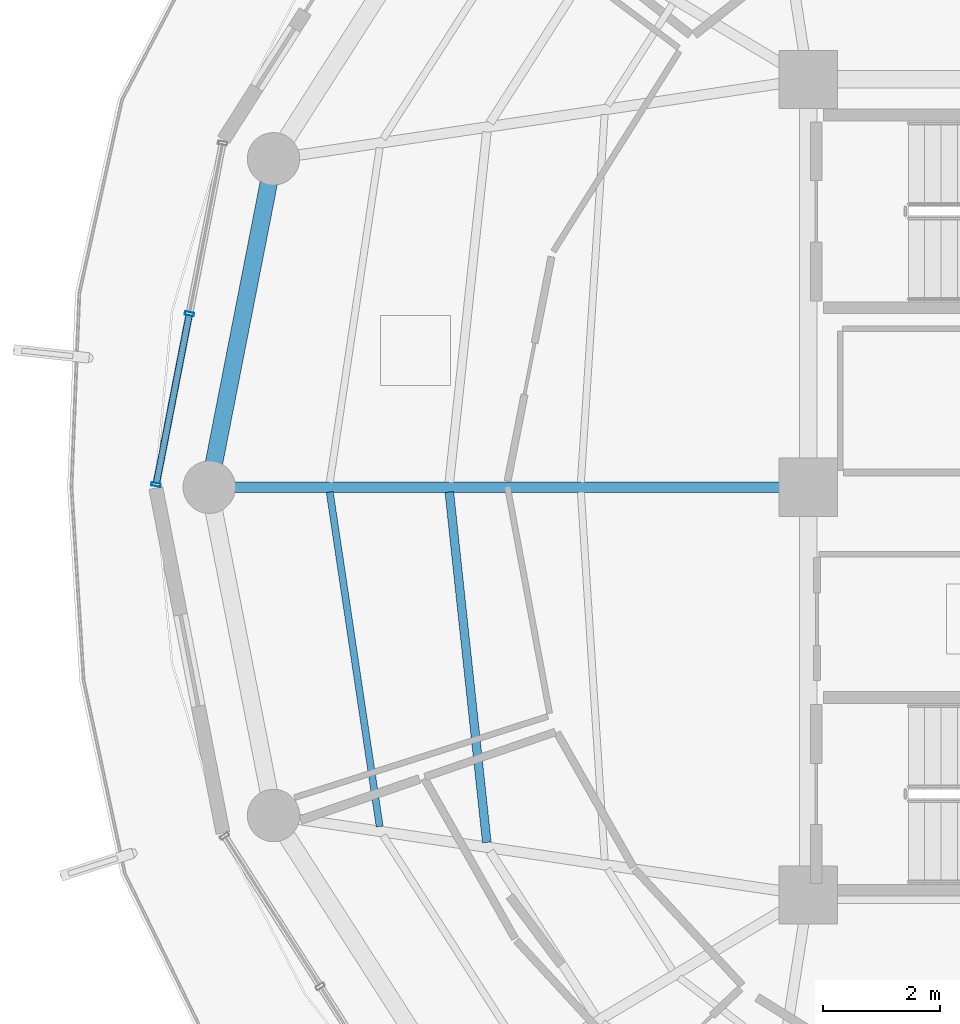
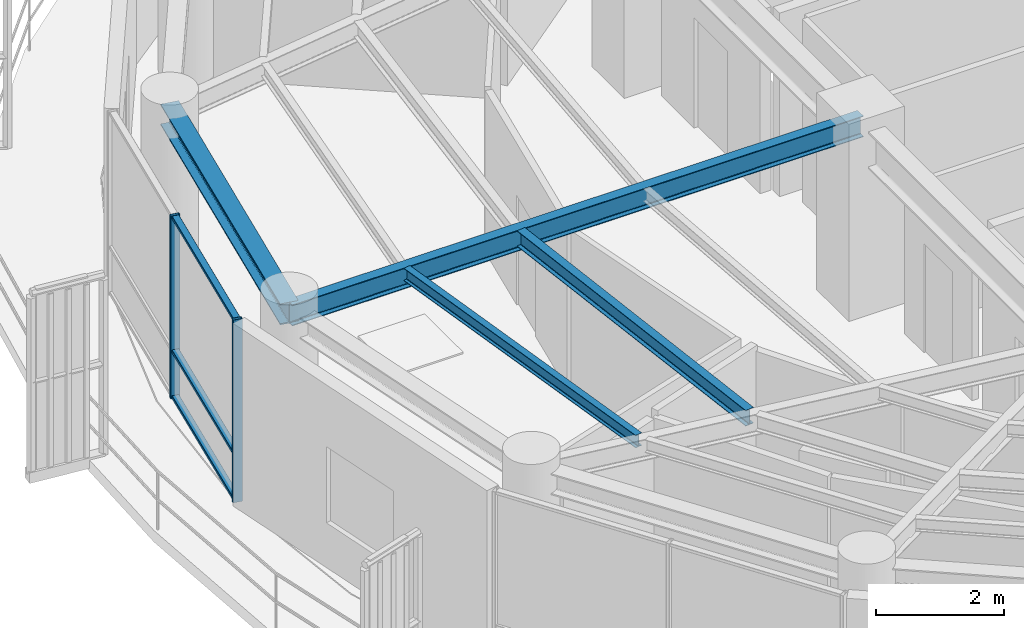
# One storey, part 5 of 22: 5 members, 4 beams, 1 element without a shape of its own.
"""IFC4 building model written with IfcOpenShell, lengths in metres."""

from ifc_helpers import new_model, si_unit, direction, frame, origin, origin_2d, place, context, subcontext, project, spatial, hollow_rectangle, i_section, extrude, material, layer, layer_set, material_profile, profile_set, type_object, element, aggregate, save


model = new_model("IFC4")

# Units and contexts
model_context = context("Model", 3, precision=1e-05, world=origin(), true_north=direction((0.0, 1.0)))
body_context = subcontext(model_context, "Body", "Model", "MODEL_VIEW")
ifc_project = project(units=[si_unit("LENGTHUNIT", "METRE"), si_unit("AREAUNIT", "SQUARE_METRE"), si_unit("VOLUMEUNIT", "CUBIC_METRE"), si_unit("PLANEANGLEUNIT", "RADIAN"), si_unit("MASSUNIT", "GRAM", prefix="KILO")], contexts=[model_context])

# Site, building, storey
site_placement = place(None, origin())
site = spatial("IfcSite", under=ifc_project, at=site_placement, CompositionType="ELEMENT")
building_placement = place(site_placement, origin())
building = spatial("IfcBuilding", under=site, at=building_placement, Name="Kelanora Arch Commons", CompositionType="ELEMENT")
storey_placement = place(building_placement, frame((0.0, 0.0, 274.949951171875)))
storey = spatial("IfcBuildingStorey", under=building, at=storey_placement, Name="L70", CompositionType="ELEMENT", Elevation=274.949951171875)

# Beams
ifc_material_1 = material(Name="Steel S355", Category="steel")
ifc_material_profile_1 = material_profile(ifc_material_1, i_section(OverallWidth=0.14990234375, OverallDepth=0.300048828125, WebThickness=0.007080078125, FlangeThickness=0.0107421875, FilletRadius=0.014892578125, at=origin_2d()), Name="IPE300")
ifc_profile_set_1 = profile_set([ifc_material_profile_1], Name="Steel S355")
beam_type_1 = type_object("IfcBeamType", Name="BM-JST-01", PredefinedType="JOIST", material=ifc_profile_set_1)
beam_1_placement = place(storey_placement, frame((59.841064453125, 57.91552734375, 3.340087890625), z_axis=(0.106380594087, -0.994325484538, 0.0), x_axis=(0.994325484538, 0.106380594087, 0.0)))
element("IfcBeam", 1, at=beam_1_placement, inside=storey, type_object=beam_type_1, Name="Secondary Chord Joist BJB-18 L70", PredefinedType="JOIST", context=body_context, shape_type="SweptSolid", body=[
    extrude(i_section(OverallWidth=0.14990234375, OverallDepth=0.300048828125, WebThickness=0.007080078125, FlangeThickness=0.0107421875, FilletRadius=0.014892578125, at=origin_2d()), origin(), (0.0, 0.0, 1.0), 6.04736328125),
])
ifc_material_profile_2 = material_profile(ifc_material_1, i_section(OverallWidth=0.1201171875, OverallDepth=0.239990234375, WebThickness=0.006103515625, FlangeThickness=0.009765625, FilletRadius=0.014892578125, at=origin_2d()), Name="IPE240")
ifc_profile_set_2 = profile_set([ifc_material_profile_2], Name="Steel S355")
beam_type_2 = type_object("IfcBeamType", Name="BM-JST-02", PredefinedType="JOIST", material=ifc_profile_set_2)
beam_2_placement = place(storey_placement, frame((57.78857421875, 57.916015625, 3.3701171875), z_axis=(0.14762470282, -0.989043450571, 0.0), x_axis=(0.989043450571, 0.14762470282, 0.0)))
element("IfcBeam", 2, at=beam_2_placement, inside=storey, type_object=beam_type_2, Name="Secondary Chord Joist BJC-18 L70", PredefinedType="JOIST", context=body_context, shape_type="SweptSolid", body=[
    extrude(i_section(OverallWidth=0.1201171875, OverallDepth=0.239990234375, WebThickness=0.006103515625, FlangeThickness=0.009765625, FilletRadius=0.014892578125, at=origin_2d()), origin(), (0.0, 0.0, 1.0), 5.804931640625),
])
ifc_material_profile_3 = material_profile(ifc_material_1, i_section(OverallWidth=0.179931640625, OverallDepth=0.39990234375, WebThickness=0.008544921875, FlangeThickness=0.013427734375, FilletRadius=0.02099609375, at=origin_2d()), Name="IPE400")
ifc_profile_set_3 = profile_set([ifc_material_profile_3], Name="Steel S355")
beam_type_3 = type_object("IfcBeamType", Name="BM-RAD-Z5", PredefinedType="BEAM", material=ifc_profile_set_3)
beam_3_placement = place(storey_placement, frame((66.0, 58.0, 3.2900390625), z_axis=(-1.0, 0.0, 0.0), x_axis=(0.0, -1.0, 0.0)))
element("IfcBeam", 3, at=beam_3_placement, inside=storey, type_object=beam_type_3, Name="Radial Floor Girder BR-18 L70", PredefinedType="BEAM", context=body_context, shape_type="SweptSolid", body=[
    extrude(i_section(OverallWidth=0.179931640625, OverallDepth=0.39990234375, WebThickness=0.008544921875, FlangeThickness=0.013427734375, FilletRadius=0.02099609375, at=origin_2d()), origin(), (0.0, 0.0, 1.0), 10.280029296875),
])
ifc_material_profile_4 = material_profile(ifc_material_1, i_section(OverallWidth=0.300048828125, OverallDepth=0.39990234375, WebThickness=0.013427734375, FlangeThickness=0.02392578125, FilletRadius=0.027099609375, at=origin_2d()), Name="HEB400")
ifc_profile_set_4 = profile_set([ifc_material_profile_4], Name="Steel S355")
beam_type_4 = type_object("IfcBeamType", Name="BM-SPN-Z4", PredefinedType="SPANDREL", material=ifc_profile_set_4)
beam_4_placement = place(storey_placement, frame((56.822509765625, 63.636474609375, 3.2900390625), z_axis=(-0.191969774604, -0.981400838413, 0.0), x_axis=(0.981400838413, -0.191969774604, 0.0)))
element("IfcBeam", 4, at=beam_4_placement, inside=storey, type_object=beam_type_4, Name="Perimeter Spandrel Beam BS-16 L70", PredefinedType="SPANDREL", context=body_context, shape_type="SweptSolid", body=[
    extrude(i_section(OverallWidth=0.300048828125, OverallDepth=0.39990234375, WebThickness=0.013427734375, FlangeThickness=0.02392578125, FilletRadius=0.027099609375, at=origin_2d()), origin(), (0.0, 0.0, 1.0), 5.743408203125),
])

# Curtain wall, members
ifc_material_2 = material(Name="Terracotta ceramic-fritted low-E glass and aluminium", Category="masonry")
ifc_layer = layer(ifc_material_2, 0.18994140625)
ifc_layer_set = layer_set([ifc_layer], Name="Terracotta ceramic-fritted low-E glass and aluminium")
curtain_wall_type = type_object("IfcCurtainWallType", Name="CW-SYS-03", PredefinedType="NOTDEFINED", material=ifc_layer_set)
curtain_wall_placement = place(storey_placement, origin())
curtain_wall = element("IfcCurtainWall", 5, at=curtain_wall_placement, inside=storey, type_object=curtain_wall_type, Name="Unitised Curtain Wall L70-B08", PredefinedType="NOTDEFINED")
ifc_material_3 = material(Name="Powder-coated aluminium terracotta", Category="masonry")
ifc_material_profile_5 = material_profile(ifc_material_3, hollow_rectangle(XDim=0.159912109375, YDim=0.06005859375, WallThickness=0.0048828125, InnerFilletRadius=0.0048828125, OuterFilletRadius=0.010009765625, at=origin_2d()), Name="CWM160x60")
ifc_profile_set_5 = profile_set([ifc_material_profile_5], Name="Powder-coated aluminium terracotta")
member_type_1 = type_object("IfcMemberType", Name="CWM-STD", PredefinedType="MULLION", material=ifc_profile_set_5)
member_1_placement = place(storey_placement, frame((55.37890625, 60.9755859375, 0.0), z_axis=(0.0, 0.0, 1.0), x_axis=(0.981595542501, -0.190971701941, 0.0)))
member_1 = element("IfcMember", 6, at=member_1_placement, type_object=member_type_1, Name="CW-03 mullion 2", PredefinedType="MULLION", context=body_context, shape_type="SweptSolid", body=[
    extrude(hollow_rectangle(XDim=0.159912109375, YDim=0.06005859375, WallThickness=0.0048828125, InnerFilletRadius=0.0048828125, OuterFilletRadius=0.010009765625, at=origin_2d()), origin(), (0.0, 0.0, 1.0), 3.47509765625),
])
member_2_placement = place(storey_placement, frame((54.80859375, 58.044189453125, 0.0), z_axis=(0.0, 0.0, 1.0), x_axis=(0.981595542501, -0.190971701941, 0.0)))
member_2 = element("IfcMember", 7, at=member_2_placement, type_object=member_type_1, Name="CW-03 mullion 3", PredefinedType="MULLION", context=body_context, shape_type="SweptSolid", body=[
    extrude(hollow_rectangle(XDim=0.159912109375, YDim=0.06005859375, WallThickness=0.0048828125, InnerFilletRadius=0.0048828125, OuterFilletRadius=0.010009765625, at=origin_2d()), origin(), (0.0, 0.0, 1.0), 3.47509765625),
])
ifc_material_profile_6 = material_profile(ifc_material_3, hollow_rectangle(XDim=0.1201171875, YDim=0.06005859375, WallThickness=0.0048828125, InnerFilletRadius=0.0048828125, OuterFilletRadius=0.010009765625, at=origin_2d()), Name="CWT120x60")
ifc_profile_set_6 = profile_set([ifc_material_profile_6], Name="Powder-coated aluminium terracotta")
member_type_2 = type_object("IfcMemberType", Name="CWT-STD", PredefinedType="USERDEFINED", material=ifc_profile_set_6)
member_3_placement = place(storey_placement, frame((55.373291015625, 60.946044921875, 0.030029296875), z_axis=(-0.190963443354, -0.981597149192, 0.0), x_axis=(0.981597149192, -0.190963443354, 0.0)))
member_3 = element("IfcMember", 8, at=member_3_placement, type_object=member_type_2, Name="CW-03 transom 2.1", ObjectType="TRANSOM", PredefinedType="USERDEFINED", context=body_context, shape_type="SweptSolid", body=[
    extrude(hollow_rectangle(XDim=0.1201171875, YDim=0.06005859375, WallThickness=0.0048828125, InnerFilletRadius=0.0048828125, OuterFilletRadius=0.010009765625, at=origin_2d()), origin(), (0.0, 0.0, 1.0), 2.926513671875),
])
member_4_placement = place(storey_placement, frame((55.373291015625, 60.946044921875, 0.900146484375), z_axis=(-0.190963443354, -0.981597149192, 0.0), x_axis=(0.981597149192, -0.190963443354, 0.0)))
member_4 = element("IfcMember", 9, at=member_4_placement, type_object=member_type_2, Name="CW-03 transom 2.2", ObjectType="TRANSOM", PredefinedType="USERDEFINED", context=body_context, shape_type="SweptSolid", body=[
    extrude(hollow_rectangle(XDim=0.1201171875, YDim=0.06005859375, WallThickness=0.0048828125, InnerFilletRadius=0.0048828125, OuterFilletRadius=0.010009765625, at=origin_2d()), origin(), (0.0, 0.0, 1.0), 2.926513671875),
])
member_5_placement = place(storey_placement, frame((55.373291015625, 60.946044921875, 3.445068359375), z_axis=(-0.190963443354, -0.981597149192, 0.0), x_axis=(0.981597149192, -0.190963443354, 0.0)))
member_5 = element("IfcMember", 10, at=member_5_placement, type_object=member_type_2, Name="CW-03 transom 2.3", ObjectType="TRANSOM", PredefinedType="USERDEFINED", context=body_context, shape_type="SweptSolid", body=[
    extrude(hollow_rectangle(XDim=0.1201171875, YDim=0.06005859375, WallThickness=0.0048828125, InnerFilletRadius=0.0048828125, OuterFilletRadius=0.010009765625, at=origin_2d()), origin(), (0.0, 0.0, 1.0), 2.926513671875),
])
aggregate(curtain_wall, [member_1, member_2, member_3, member_4, member_5])

save(model, "model.ifc")
